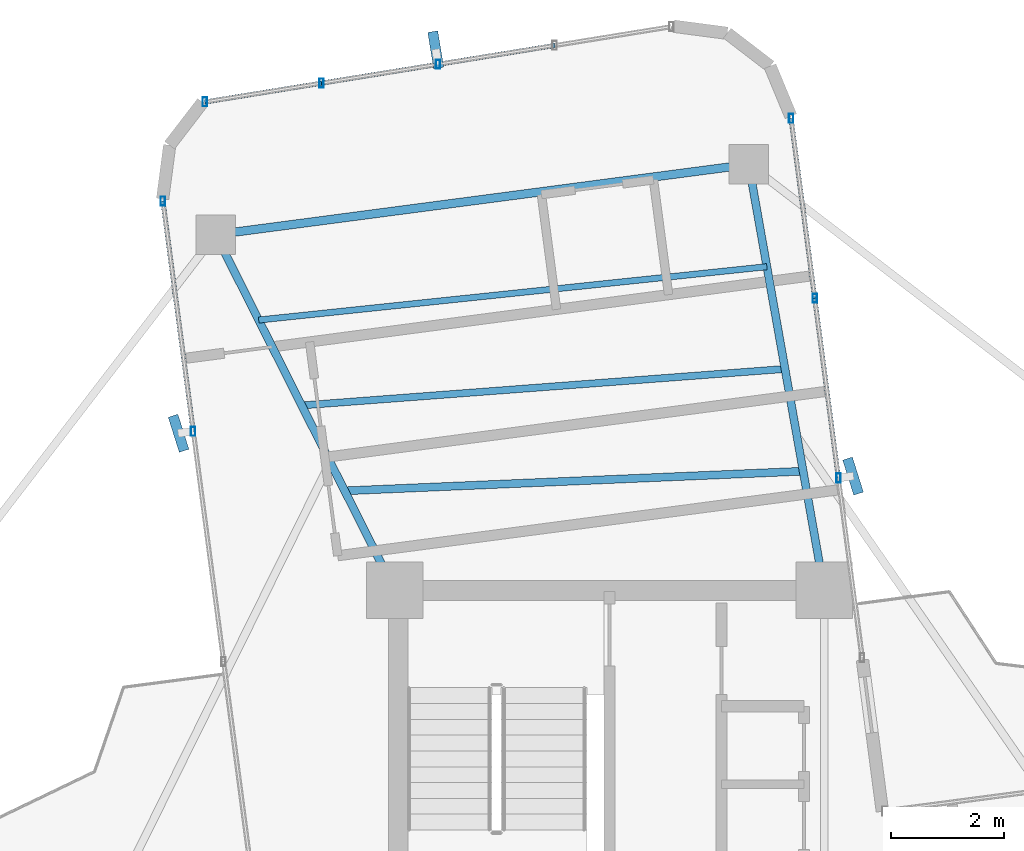
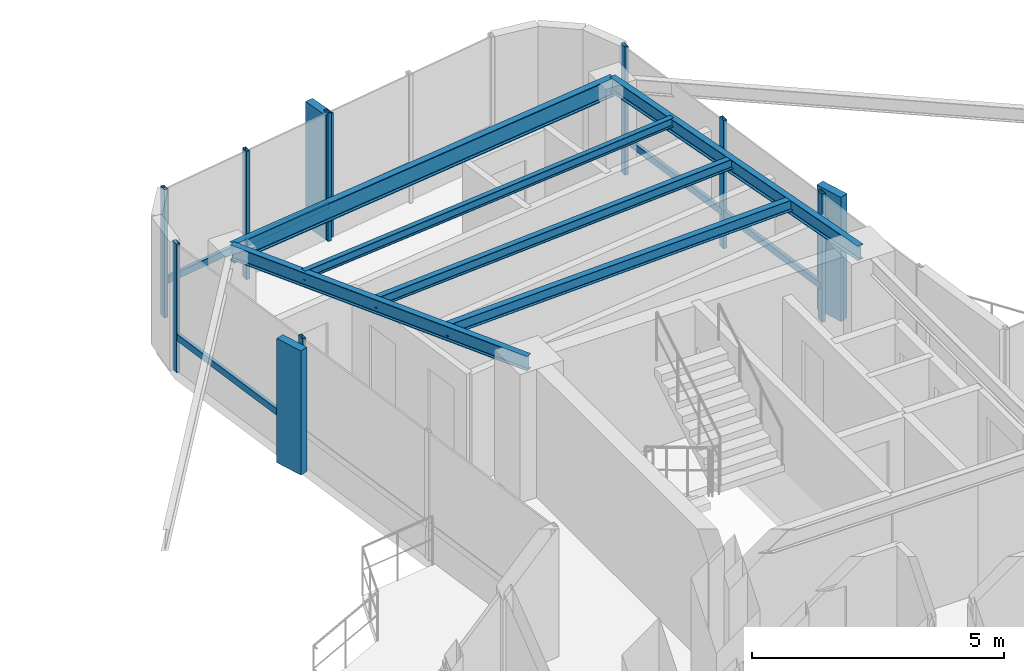
# One storey, part 14 of 23: 17 members, 6 beams, 3 elements without a shape of their own.
"""IFC4 building model written with IfcOpenShell, lengths in metres."""

from ifc_helpers import new_model, si_unit, direction, frame, origin, origin_2d, place, context, subcontext, project, spatial, rectangle, hollow_rectangle, i_section, extrude, source, transform, mapped, material, material_profile, profile_set, type_object, element, aggregate, save


model = new_model("IFC4")

# Units and contexts
model_context = context("Model", 3, precision=1e-05, world=origin(), true_north=direction((0.0, 1.0)))
body_context = subcontext(model_context, "Body", "Model", "MODEL_VIEW")
ifc_project = project(units=[si_unit("LENGTHUNIT", "METRE"), si_unit("AREAUNIT", "SQUARE_METRE"), si_unit("VOLUMEUNIT", "CUBIC_METRE"), si_unit("PLANEANGLEUNIT", "RADIAN"), si_unit("MASSUNIT", "GRAM", prefix="KILO")], contexts=[model_context])

# Site, building, storey
site_placement = place(None, origin())
site = spatial("IfcSite", under=ifc_project, at=site_placement, CompositionType="ELEMENT")
building_placement = place(site_placement, origin())
building = spatial("IfcBuilding", under=site, at=building_placement, Name="Sahyath Konkavel Grand Hotel", CompositionType="ELEMENT")
storey_placement = place(building_placement, frame((0.0, 0.0, 251.199951171875)))
storey = spatial("IfcBuildingStorey", under=building, at=storey_placement, Name="L70", CompositionType="ELEMENT", Elevation=251.199951171875)

# Beams
ifc_material_1 = material(Name="Steel E350", Category="steel")
ifc_material_profile_1 = material_profile(ifc_material_1, i_section(OverallWidth=0.139892578125, OverallDepth=0.35009765625, WebThickness=0.008056640625, FlangeThickness=0.01416015625, FilletRadius=0.013916015625, at=origin_2d()), Name="ISMB 350")
ifc_profile_set_1 = profile_set([ifc_material_profile_1], Name="Steel E350")
beam_type_1 = type_object("IfcBeamType", Name="BM-ISMB350", PredefinedType="BEAM", material=ifc_profile_set_1)
shared_shape_1 = source(origin(), body_context, "Body", "SweptSolid", [
    extrude(i_section(OverallWidth=0.139892578125, OverallDepth=0.35009765625, WebThickness=0.008056640625, FlangeThickness=0.01416015625, FilletRadius=0.013916015625, at=origin_2d()), origin(), (0.0, 0.0, 1.0), 7.657958984375),
])
beam_1_placement = place(storey_placement, frame((3.800048828125, 10.199951171875, 2.93505859375), z_axis=(-0.174549144762, 0.98464846319, 0.0), x_axis=(-0.98464846319, -0.174549144762, 0.0)))
element("IfcBeam", 1, at=beam_1_placement, inside=storey, type_object=beam_type_1, Name="L70 Cruciform Radial Girder NA", PredefinedType="BEAM", context=body_context, shape_type="MappedRepresentation", body=[
    mapped(shared_shape_1, transform((0.0, 0.0, 0.0), scale=1.0)),
])
shared_shape_2 = source(origin(), body_context, "Body", "SweptSolid", [
    extrude(i_section(OverallWidth=0.139892578125, OverallDepth=0.35009765625, WebThickness=0.008056640625, FlangeThickness=0.01416015625, FilletRadius=0.013916015625, at=origin_2d()), origin(), (0.0, 0.0, 1.0), 7.051513671875),
])
beam_2_placement = place(storey_placement, frame((-3.800048828125, 10.199951171875, 2.93505859375), z_axis=(-0.44970463977, 0.893177326722, 0.0), x_axis=(-0.893177326722, -0.44970463977, 0.0)))
element("IfcBeam", 2, at=beam_2_placement, inside=storey, type_object=beam_type_1, Name="L70 Cruciform Radial Girder NB", PredefinedType="BEAM", context=body_context, shape_type="MappedRepresentation", body=[
    mapped(shared_shape_2, transform((0.0, 0.0, 0.0), scale=1.0)),
])
ifc_material_profile_2 = material_profile(ifc_material_1, i_section(OverallWidth=0.14990234375, OverallDepth=0.449951171875, WebThickness=0.009521484375, FlangeThickness=0.017333984375, FilletRadius=0.014892578125, at=origin_2d()), Name="ISMB 450")
ifc_profile_set_2 = profile_set([ifc_material_profile_2], Name="Steel E350")
beam_type_2 = type_object("IfcBeamType", Name="BM-ISMB450", PredefinedType="BEAM", material=ifc_profile_set_2)
shared_shape_3 = source(origin(), body_context, "Body", "SweptSolid", [
    extrude(i_section(OverallWidth=0.14990234375, OverallDepth=0.449951171875, WebThickness=0.009521484375, FlangeThickness=0.017333984375, FilletRadius=0.014892578125, at=origin_2d()), origin(), (0.0, 0.0, 1.0), 9.515869140625),
])
beam_3_placement = place(storey_placement, frame((2.46337890625, 17.740234375, 2.885009765625), z_axis=(-0.991446784002, -0.130511587574, 0.0), x_axis=(0.130511587574, -0.991446784002, 0.0)))
element("IfcBeam", 3, at=beam_3_placement, inside=storey, type_object=beam_type_2, Name="L70 Wing Tip Edge Beam N", PredefinedType="BEAM", context=body_context, shape_type="MappedRepresentation", body=[
    mapped(shared_shape_3, transform((0.0, 0.0, 0.0), scale=1.0)),
])
ifc_material_profile_3 = material_profile(ifc_material_1, i_section(OverallWidth=0.139892578125, OverallDepth=0.27490234375, WebThickness=0.00634765625, FlangeThickness=0.0087890625, FilletRadius=0.012939453125, at=origin_2d()), Name="ISLB 275")
ifc_profile_set_3 = profile_set([ifc_material_profile_3], Name="Steel E350")
beam_type_3 = type_object("IfcBeamType", Name="BM-ISLB275", PredefinedType="BEAM", material=ifc_profile_set_3)
shared_shape_4 = source(origin(), body_context, "Body", "SweptSolid", [
    extrude(i_section(OverallWidth=0.139892578125, OverallDepth=0.27490234375, WebThickness=0.00634765625, FlangeThickness=0.0087890625, FilletRadius=0.012939453125, at=origin_2d()), origin(), (0.0, 0.0, 1.0), 8.121337890625),
])
beam_4_placement = place(storey_placement, frame((3.42578125, 12.311279296875, 2.97265625), z_axis=(-0.999082013769, -0.042838414564, 0.0), x_axis=(0.042838414564, -0.999082013769, 0.0)))
element("IfcBeam", 4, at=beam_4_placement, inside=storey, type_object=beam_type_3, Name="L70 Secondary Floor Beam N-1", PredefinedType="BEAM", context=body_context, shape_type="MappedRepresentation", body=[
    mapped(shared_shape_4, transform((0.0, 0.0, 0.0), scale=1.0)),
])
ifc_material_profile_4 = material_profile(ifc_material_1, i_section(OverallWidth=0.125, OverallDepth=0.25, WebThickness=0.0068359375, FlangeThickness=0.012451171875, FilletRadius=0.012939453125, at=origin_2d()), Name="ISMB 250")
ifc_profile_set_4 = profile_set([ifc_material_profile_4], Name="Steel E350")
beam_type_4 = type_object("IfcBeamType", Name="BM-ISMB250", PredefinedType="BEAM", material=ifc_profile_set_4)
shared_shape_5 = source(origin(), body_context, "Body", "SweptSolid", [
    extrude(i_section(OverallWidth=0.125, OverallDepth=0.25, WebThickness=0.0068359375, FlangeThickness=0.012451171875, FilletRadius=0.012939453125, at=origin_2d()), origin(), (0.0, 0.0, 1.0), 8.578369140625),
])
beam_5_placement = place(storey_placement, frame((3.10498046875, 14.12109375, 2.985107421875), z_axis=(-0.99716049254, -0.075305724327, 0.0), x_axis=(0.075305724327, -0.99716049254, 0.0)))
element("IfcBeam", 5, at=beam_5_placement, inside=storey, type_object=beam_type_4, Name="L70 Secondary Floor Beam N-2", PredefinedType="BEAM", context=body_context, shape_type="MappedRepresentation", body=[
    mapped(shared_shape_5, transform((0.0, 0.0, 0.0), scale=1.0)),
])
ifc_material_profile_5 = material_profile(ifc_material_1, i_section(OverallWidth=0.110107421875, OverallDepth=0.22509765625, WebThickness=0.006591796875, FlangeThickness=0.01171875, FilletRadius=0.011962890625, at=origin_2d()), Name="ISMB 225")
ifc_profile_set_5 = profile_set([ifc_material_profile_5], Name="Steel E350")
beam_type_5 = type_object("IfcBeamType", Name="BM-ISMB225", PredefinedType="BEAM", material=ifc_profile_set_5)
shared_shape_6 = source(origin(), body_context, "Body", "SweptSolid", [
    extrude(i_section(OverallWidth=0.110107421875, OverallDepth=0.22509765625, WebThickness=0.006591796875, FlangeThickness=0.01171875, FilletRadius=0.011962890625, at=origin_2d()), origin(), (0.0, 0.0, 1.0), 9.04345703125),
])
beam_6_placement = place(storey_placement, frame((2.7841796875, 15.9306640625, 2.99755859375), z_axis=(-0.994536030603, -0.104393887903, 0.0), x_axis=(0.104393887903, -0.994536030603, 0.0)))
element("IfcBeam", 6, at=beam_6_placement, inside=storey, type_object=beam_type_5, Name="L70 Secondary Floor Beam N-3", PredefinedType="BEAM", context=body_context, shape_type="MappedRepresentation", body=[
    mapped(shared_shape_6, transform((0.0, 0.0, 0.0), scale=1.0)),
])

# Curtain wall, member
ifc_material_2 = material(Name="Anodised Bronze Aluminium & Low-E Glazing", Category="aluminium")
curtain_wall_type = type_object("IfcCurtainWallType", Name="CW-ZONE4", PredefinedType="NOTDEFINED", material=ifc_material_2)
curtain_wall_1_placement = place(storey_placement, origin())
curtain_wall_1 = element("IfcCurtainWall", 7, at=curtain_wall_1_placement, inside=storey, type_object=curtain_wall_type, Name="L70 Unitised Curtain Wall F8", PredefinedType="NOTDEFINED")
ifc_material_3 = material(Name="Warm Buff Sandstone Cladding on Concrete C50/60", Category="masonry")
ifc_material_profile_6 = material_profile(ifc_material_3, rectangle(XDim=0.179931640625, YDim=0.64990234375, at=origin_2d()), Name="FIN 180x650")
ifc_profile_set_6 = profile_set([ifc_material_profile_6], Name="Warm Buff Sandstone Cladding on Concrete C50/60")
member_type_1 = type_object("IfcMemberType", Name="FIN-SANDSTONE-650", PredefinedType="MULLION", material=ifc_profile_set_6)
shared_shape_7 = source(origin(), body_context, "Body", "SweptSolid", [
    extrude(rectangle(XDim=0.179931640625, YDim=0.64990234375, at=origin_2d()), origin(), (0.0, 0.0, 1.0), 3.010009765625),
])
member_1_placement = place(storey_placement, frame((4.30908203125, 12.224609375, 0.050048828125), z_axis=(0.0, 0.0, 1.0), x_axis=(0.953716950748, 0.300705799504, 0.0)))
member_1 = element("IfcMember", 8, at=member_1_placement, type_object=member_type_1, Name="L70 Sandstone Vertical Solar Fin FIN F8-1", PredefinedType="MULLION", context=body_context, shape_type="MappedRepresentation", body=[
    mapped(shared_shape_7, transform((0.0, 0.0, 0.0), scale=1.0)),
])

curtain_wall_2_placement = place(storey_placement, origin())
curtain_wall_2 = element("IfcCurtainWall", 9, at=curtain_wall_2_placement, inside=storey, type_object=curtain_wall_type, Name="L70 Unitised Curtain Wall F12", PredefinedType="NOTDEFINED")
member_2_placement = place(storey_placement, frame((-3.076904296875, 19.7705078125, 0.050048828125), z_axis=(0.0, 0.0, 1.0), x_axis=(0.986572161607, 0.163325962242, 0.0)))
member_2 = element("IfcMember", 10, at=member_2_placement, type_object=member_type_1, Name="L70 Sandstone Vertical Solar Fin FIN F12-2", PredefinedType="MULLION", context=body_context, shape_type="MappedRepresentation", body=[
    mapped(shared_shape_7, transform((0.0, 0.0, 0.0), scale=1.0)),
])

curtain_wall_3_placement = place(storey_placement, origin())
curtain_wall_3 = element("IfcCurtainWall", 11, at=curtain_wall_3_placement, inside=storey, type_object=curtain_wall_type, Name="L70 Unitised Curtain Wall F15", PredefinedType="NOTDEFINED")
member_3_placement = place(storey_placement, frame((-7.6279296875, 12.98291015625, 0.050048828125), z_axis=(0.0, 0.0, 1.0), x_axis=(0.953716950748, 0.300705799504, 0.0)))
member_3 = element("IfcMember", 12, at=member_3_placement, type_object=member_type_1, Name="L70 Sandstone Vertical Solar Fin FIN F15-1", PredefinedType="MULLION", context=body_context, shape_type="MappedRepresentation", body=[
    mapped(shared_shape_7, transform((0.0, 0.0, 0.0), scale=1.0)),
])

# Member
ifc_material_4 = material(Name="Anodised Bronze Aluminium", Category="aluminium")
ifc_material_profile_7 = material_profile(ifc_material_4, hollow_rectangle(XDim=0.080078125, YDim=0.159912109375, WallThickness=0.006103515625, at=origin_2d()), Name="RHS 160x80x6")
ifc_profile_set_7 = profile_set([ifc_material_profile_7], Name="Anodised Bronze Aluminium")
member_type_2 = type_object("IfcMemberType", Name="CW-MUL-160", PredefinedType="MULLION", material=ifc_profile_set_7)
shared_shape_8 = source(origin(), body_context, "Body", "SweptSolid", [
    extrude(hollow_rectangle(XDim=0.080078125, YDim=0.159912109375, WallThickness=0.006103515625, at=origin_2d()), origin(), (0.0, 0.0, 1.0), 3.110107421875),
])
member_4_placement = place(storey_placement, frame((4.051513671875, 12.19091796875, 0.0), z_axis=(0.0, 0.0, 1.0), x_axis=(1.0, 0.0, 0.0)))
member_4 = element("IfcMember", 13, at=member_4_placement, type_object=member_type_2, Name="L70 Curtain Wall Mullion F8-1", PredefinedType="MULLION", context=body_context, shape_type="MappedRepresentation", body=[
    mapped(shared_shape_8, transform((0.0, 0.0, 0.0), scale=1.0)),
])

member_5_placement = place(storey_placement, frame((3.632568359375, 15.373046875, 0.0), z_axis=(0.0, 0.0, 1.0), x_axis=(1.0, 0.0, 0.0)))
member_5 = element("IfcMember", 14, at=member_5_placement, type_object=member_type_2, Name="L70 Curtain Wall Mullion F8-2", PredefinedType="MULLION", context=body_context, shape_type="MappedRepresentation", body=[
    mapped(shared_shape_8, transform((0.0, 0.0, 0.0), scale=1.0)),
])

member_6_placement = place(storey_placement, frame((3.21337890625, 18.55517578125, 0.0), z_axis=(0.0, 0.0, 1.0), x_axis=(1.0, 0.0, 0.0)))
member_6 = element("IfcMember", 15, at=member_6_placement, type_object=member_type_2, Name="L70 Curtain Wall Mullion F8-3", PredefinedType="MULLION", context=body_context, shape_type="MappedRepresentation", body=[
    mapped(shared_shape_8, transform((0.0, 0.0, 0.0), scale=1.0)),
])

member_7_placement = place(storey_placement, frame((-3.035400390625, 19.513916015625, 0.0), z_axis=(0.0, 0.0, 1.0), x_axis=(1.0, 0.0, 0.0)))
member_7 = element("IfcMember", 16, at=member_7_placement, type_object=member_type_2, Name="L70 Curtain Wall Mullion F12-2", PredefinedType="MULLION", context=body_context, shape_type="MappedRepresentation", body=[
    mapped(shared_shape_8, transform((0.0, 0.0, 0.0), scale=1.0)),
])

member_8_placement = place(storey_placement, frame((-5.099853515625, 19.18017578125, 0.0), z_axis=(0.0, 0.0, 1.0), x_axis=(1.0, 0.0, 0.0)))
member_8 = element("IfcMember", 17, at=member_8_placement, type_object=member_type_2, Name="L70 Curtain Wall Mullion F12-3", PredefinedType="MULLION", context=body_context, shape_type="MappedRepresentation", body=[
    mapped(shared_shape_8, transform((0.0, 0.0, 0.0), scale=1.0)),
])

member_9_placement = place(storey_placement, frame((-7.164306640625, 18.846435546875, 0.0), z_axis=(0.0, 0.0, 1.0), x_axis=(1.0, 0.0, 0.0)))
member_9 = element("IfcMember", 18, at=member_9_placement, type_object=member_type_2, Name="L70 Curtain Wall Mullion F12-4", PredefinedType="MULLION", context=body_context, shape_type="MappedRepresentation", body=[
    mapped(shared_shape_8, transform((0.0, 0.0, 0.0), scale=1.0)),
])

member_10_placement = place(storey_placement, frame((-7.906494140625, 17.09130859375, 0.0), z_axis=(0.0, 0.0, 1.0), x_axis=(1.0, 0.0, 0.0)))
member_10 = element("IfcMember", 19, at=member_10_placement, type_object=member_type_2, Name="L70 Curtain Wall Mullion F15-0", PredefinedType="MULLION", context=body_context, shape_type="MappedRepresentation", body=[
    mapped(shared_shape_8, transform((0.0, 0.0, 0.0), scale=1.0)),
])

member_11_placement = place(storey_placement, frame((-7.3701171875, 13.0166015625, 0.0), z_axis=(0.0, 0.0, 1.0), x_axis=(1.0, 0.0, 0.0)))
member_11 = element("IfcMember", 20, at=member_11_placement, type_object=member_type_2, Name="L70 Curtain Wall Mullion F15-1", PredefinedType="MULLION", context=body_context, shape_type="MappedRepresentation", body=[
    mapped(shared_shape_8, transform((0.0, 0.0, 0.0), scale=1.0)),
])

ifc_material_profile_8 = material_profile(ifc_material_4, hollow_rectangle(XDim=0.080078125, YDim=0.159912109375, WallThickness=0.006103515625, at=origin_2d()), Name="RHS 160x80x6")
ifc_profile_set_8 = profile_set([ifc_material_profile_8], Name="Anodised Bronze Aluminium")
member_type_3 = type_object("IfcMemberType", Name="CW-TRN-160", PredefinedType="USERDEFINED", material=ifc_profile_set_8)
shared_shape_9 = source(origin(), body_context, "Body", "SweptSolid", [
    extrude(hollow_rectangle(XDim=0.080078125, YDim=0.159912109375, WallThickness=0.006103515625, at=origin_2d()), origin(), (0.0, 0.0, 1.0), 3.209716796875),
])
member_12_placement = place(storey_placement, frame((3.632568359375, 15.373046875, 0.85009765625), z_axis=(-0.130604052594, 0.991434607751, 0.0), x_axis=(-0.991434607751, -0.130604052594, 0.0)))
member_12 = element("IfcMember", 21, at=member_12_placement, type_object=member_type_3, Name="L70 Curtain Wall Transom F8-2-spandrel", ObjectType="TRANSOM", PredefinedType="USERDEFINED", context=body_context, shape_type="MappedRepresentation", body=[
    mapped(shared_shape_9, transform((0.0, 0.0, 0.0), scale=1.0)),
])

shared_shape_10 = source(origin(), body_context, "Body", "SweptSolid", [
    extrude(hollow_rectangle(XDim=0.080078125, YDim=0.159912109375, WallThickness=0.006103515625, at=origin_2d()), origin(), (0.0, 0.0, 1.0), 3.20947265625),
])
member_13_placement = place(storey_placement, frame((4.051513671875, 12.19091796875, 0.85009765625), z_axis=(-0.130529283696, 0.991444454368, 0.0), x_axis=(-0.991444454368, -0.130529283696, 0.0)))
member_13 = element("IfcMember", 22, at=member_13_placement, type_object=member_type_3, Name="L70 Curtain Wall Transom F8-1-spandrel", ObjectType="TRANSOM", PredefinedType="USERDEFINED", context=body_context, shape_type="MappedRepresentation", body=[
    mapped(shared_shape_10, transform((0.0, 0.0, 0.0), scale=1.0)),
])

aggregate(curtain_wall_1, [member_4, member_1, member_5, member_6, member_13, member_12])

shared_shape_11 = source(origin(), body_context, "Body", "SweptSolid", [
    extrude(hollow_rectangle(XDim=0.080078125, YDim=0.159912109375, WallThickness=0.006103515625, at=origin_2d()), origin(), (0.0, 0.0, 1.0), 2.09130859375),
])
member_14_placement = place(storey_placement, frame((-3.035400390625, 19.513916015625, 0.85009765625), z_axis=(-0.987183631938, -0.15958846084, 0.0), x_axis=(0.15958846084, -0.987183631938, 0.0)))
member_14 = element("IfcMember", 23, at=member_14_placement, type_object=member_type_3, Name="L70 Curtain Wall Transom F12-2-spandrel", ObjectType="TRANSOM", PredefinedType="USERDEFINED", context=body_context, shape_type="MappedRepresentation", body=[
    mapped(shared_shape_11, transform((0.0, 0.0, 0.0), scale=1.0)),
])

member_15_placement = place(storey_placement, frame((-5.099853515625, 19.18017578125, 0.85009765625), z_axis=(-0.987183631938, -0.15958846084, 0.0), x_axis=(0.15958846084, -0.987183631938, 0.0)))
member_15 = element("IfcMember", 24, at=member_15_placement, type_object=member_type_3, Name="L70 Curtain Wall Transom F12-3-spandrel", ObjectType="TRANSOM", PredefinedType="USERDEFINED", context=body_context, shape_type="MappedRepresentation", body=[
    mapped(shared_shape_11, transform((0.0, 0.0, 0.0), scale=1.0)),
])

shared_shape_12 = source(origin(), body_context, "Body", "SweptSolid", [
    extrude(hollow_rectangle(XDim=0.080078125, YDim=0.159912109375, WallThickness=0.006103515625, at=origin_2d()), origin(), (0.0, 0.0, 1.0), 2.091064453125),
])
member_16_placement = place(storey_placement, frame((-0.97119140625, 19.847412109375, 0.85009765625), z_axis=(-0.987199048259, -0.159493069181, 0.0), x_axis=(0.159493069181, -0.987199048259, 0.0)))
member_16 = element("IfcMember", 25, at=member_16_placement, type_object=member_type_3, Name="L70 Curtain Wall Transom F12-1-spandrel", ObjectType="TRANSOM", PredefinedType="USERDEFINED", context=body_context, shape_type="MappedRepresentation", body=[
    mapped(shared_shape_12, transform((0.0, 0.0, 0.0), scale=1.0)),
])

aggregate(curtain_wall_2, [member_7, member_2, member_8, member_9, member_16, member_14, member_15])

shared_shape_13 = source(origin(), body_context, "Body", "SweptSolid", [
    extrude(hollow_rectangle(XDim=0.080078125, YDim=0.159912109375, WallThickness=0.006103515625, at=origin_2d()), origin(), (0.0, 0.0, 1.0), 4.10986328125),
])
member_17_placement = place(storey_placement, frame((-7.906494140625, 17.09130859375, 0.85009765625), z_axis=(0.13050983177, -0.991447015131, 0.0), x_axis=(0.991447015131, 0.13050983177, 0.0)))
member_17 = element("IfcMember", 26, at=member_17_placement, type_object=member_type_3, Name="L70 Curtain Wall Transom F15-0-spandrel", ObjectType="TRANSOM", PredefinedType="USERDEFINED", context=body_context, shape_type="MappedRepresentation", body=[
    mapped(shared_shape_13, transform((0.0, 0.0, 0.0), scale=1.0)),
])

aggregate(curtain_wall_3, [member_10, member_11, member_3, member_17])

save(model, "model.ifc")
